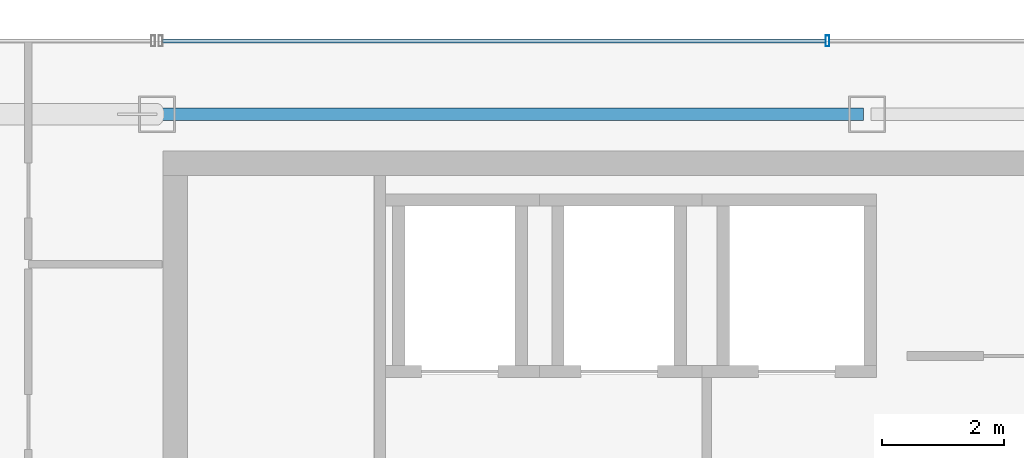
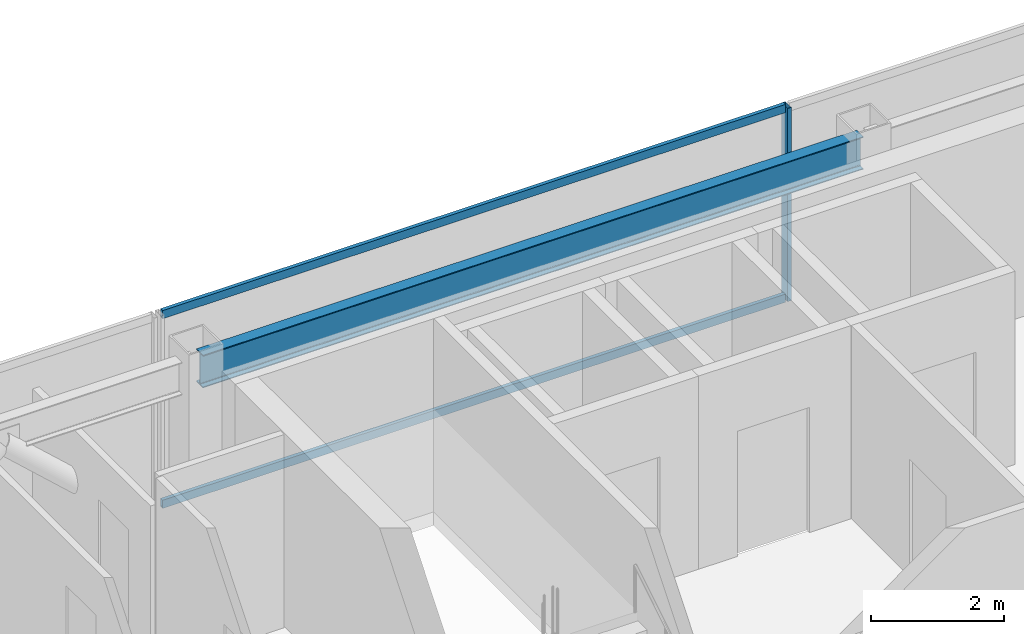
# One storey, part 10 of 24: 3 members, 1 beam, 1 element without a shape of its own.
"""IFC4 building model written with IfcOpenShell, lengths in metres."""

from ifc_helpers import new_model, si_unit, direction, frame, origin, origin_2d, place, context, subcontext, project, spatial, hollow_rectangle, i_section, extrude, material, material_profile, profile_set, type_object, element, aggregate, save


model = new_model("IFC4")

# Units and contexts
model_context = context("Model", 3, precision=1e-05, world=origin(), true_north=direction((0.0, 1.0)))
body_context = subcontext(model_context, "Body", "Model", "MODEL_VIEW")
ifc_project = project(units=[si_unit("LENGTHUNIT", "METRE"), si_unit("AREAUNIT", "SQUARE_METRE"), si_unit("VOLUMEUNIT", "CUBIC_METRE"), si_unit("PLANEANGLEUNIT", "RADIAN"), si_unit("MASSUNIT", "GRAM", prefix="KILO")], contexts=[model_context])

# Site, building, storey
site_placement = place(None, origin())
site = spatial("IfcSite", under=ifc_project, at=site_placement, CompositionType="ELEMENT")
building_placement = place(site_placement, origin())
building = spatial("IfcBuilding", under=site, at=building_placement, Name="Saevonmaru Cultural Tower", CompositionType="ELEMENT")
storey_placement = place(building_placement, frame((0.0, 0.0, 306.60009765625)))
storey = spatial("IfcBuildingStorey", under=building, at=storey_placement, Name="L73", CompositionType="ELEMENT", Elevation=306.60009765625)

# Beam
ifc_material_1 = material(Name="Steel SM355", Category="steel")
ifc_material_profile_1 = material_profile(ifc_material_1, i_section(OverallWidth=0.199951171875, OverallDepth=0.60009765625, WebThickness=0.010986328125, FlangeThickness=0.01708984375, FilletRadius=0.02197265625, at=origin_2d()), Name="H-600x200x11x17")
ifc_profile_set_1 = profile_set([ifc_material_profile_1], Name="Steel SM355")
beam_type = type_object("IfcBeamType", Name="BM-SP-H600", PredefinedType="SPANDREL", material=ifc_profile_set_1)
beam_placement = place(storey_placement, frame((13.659912109375, 54.800048828125, 3.25), z_axis=(1.0, 0.0, 0.0), x_axis=(0.0, 1.0, 0.0)))
element("IfcBeam", 1, at=beam_placement, inside=storey, type_object=beam_type, Name="L73 North Spine Girder 2", PredefinedType="SPANDREL", context=body_context, shape_type="SweptSolid", body=[
    extrude(i_section(OverallWidth=0.199951171875, OverallDepth=0.60009765625, WebThickness=0.010986328125, FlangeThickness=0.01708984375, FilletRadius=0.02197265625, at=origin_2d()), origin(), (0.0, 0.0, 1.0), 11.47998046875),
])

# Curtain wall, members
ifc_material_2 = material(Name="Satin Bronze Anodised Aluminium", Category="aluminium")
curtain_wall_type = type_object("IfcCurtainWallType", Name="CW-TYP-B", PredefinedType="NOTDEFINED", material=ifc_material_2)
curtain_wall_placement = place(storey_placement, origin())
curtain_wall = element("IfcCurtainWall", 2, at=curtain_wall_placement, inside=storey, type_object=curtain_wall_type, Name="L73 North Spine Unitised Curtain Wall E10B", PredefinedType="NOTDEFINED")
ifc_material_profile_2 = material_profile(ifc_material_2, hollow_rectangle(XDim=0.06494140625, YDim=0.179931640625, WallThickness=0.00390625, at=origin_2d()), Name="ALU-MULL-180x65x4")
ifc_profile_set_2 = profile_set([ifc_material_profile_2], Name="Satin Bronze Anodised Aluminium")
member_type_1 = type_object("IfcMemberType", Name="ML-CW-180x65", PredefinedType="MULLION", material=ifc_profile_set_2)
member_1_placement = place(storey_placement, frame((24.55322265625, 56.0, 0.0), z_axis=(0.0, 0.0, 1.0), x_axis=(-1.0, 0.0, 0.0)))
member_1 = element("IfcMember", 3, at=member_1_placement, type_object=member_type_1, Name="CW-TW-L73-E10B mullion 3", PredefinedType="MULLION", context=body_context, shape_type="SweptSolid", body=[
    extrude(hollow_rectangle(XDim=0.06494140625, YDim=0.179931640625, WallThickness=0.00390625, at=origin_2d()), origin(), (0.0, 0.0, 1.0), 3.5498046875),
])
ifc_material_profile_3 = material_profile(ifc_material_2, hollow_rectangle(XDim=0.06494140625, YDim=0.14990234375, WallThickness=0.00390625, at=origin_2d()), Name="ALU-TRAN-150x65x4")
ifc_profile_set_3 = profile_set([ifc_material_profile_3], Name="Satin Bronze Anodised Aluminium")
member_type_2 = type_object("IfcMemberType", Name="TR-CW-150x65", PredefinedType="USERDEFINED", material=ifc_profile_set_3)
member_2_placement = place(storey_placement, frame((24.520751953125, 56.0, 0.032470703125), z_axis=(-1.0, 0.0, 0.0), x_axis=(0.0, -1.0, 0.0)))
member_2 = element("IfcMember", 4, at=member_2_placement, type_object=member_type_2, Name="CW-TW-L73-E10B transom 3.1", ObjectType="TRANSOM", PredefinedType="USERDEFINED", context=body_context, shape_type="SweptSolid", body=[
    extrude(hollow_rectangle(XDim=0.06494140625, YDim=0.14990234375, WallThickness=0.00390625, at=origin_2d()), origin(), (0.0, 0.0, 1.0), 10.828369140625),
])
member_3_placement = place(storey_placement, frame((24.520751953125, 56.0, 3.517333984375), z_axis=(-1.0, 0.0, 0.0), x_axis=(0.0, -1.0, 0.0)))
member_3 = element("IfcMember", 5, at=member_3_placement, type_object=member_type_2, Name="CW-TW-L73-E10B transom 3.2", ObjectType="TRANSOM", PredefinedType="USERDEFINED", context=body_context, shape_type="SweptSolid", body=[
    extrude(hollow_rectangle(XDim=0.06494140625, YDim=0.14990234375, WallThickness=0.00390625, at=origin_2d()), origin(), (0.0, 0.0, 1.0), 10.828369140625),
])
aggregate(curtain_wall, [member_1, member_2, member_3])

save(model, "model.ifc")
